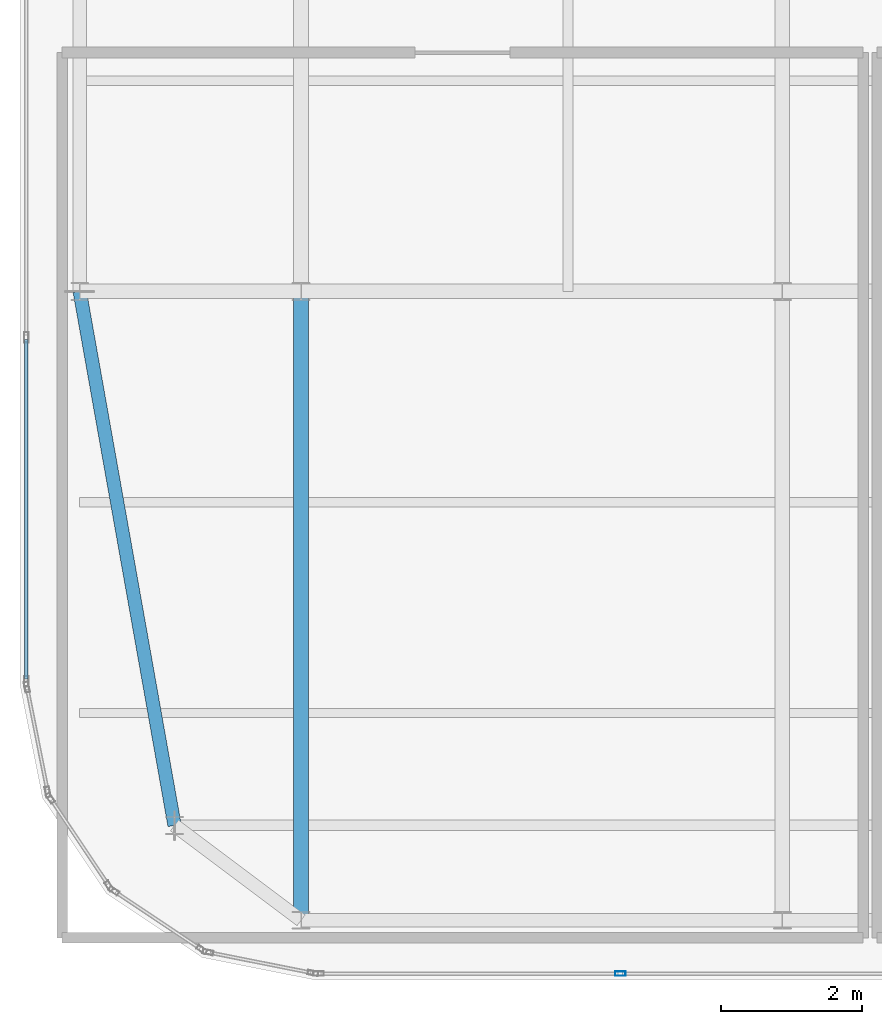
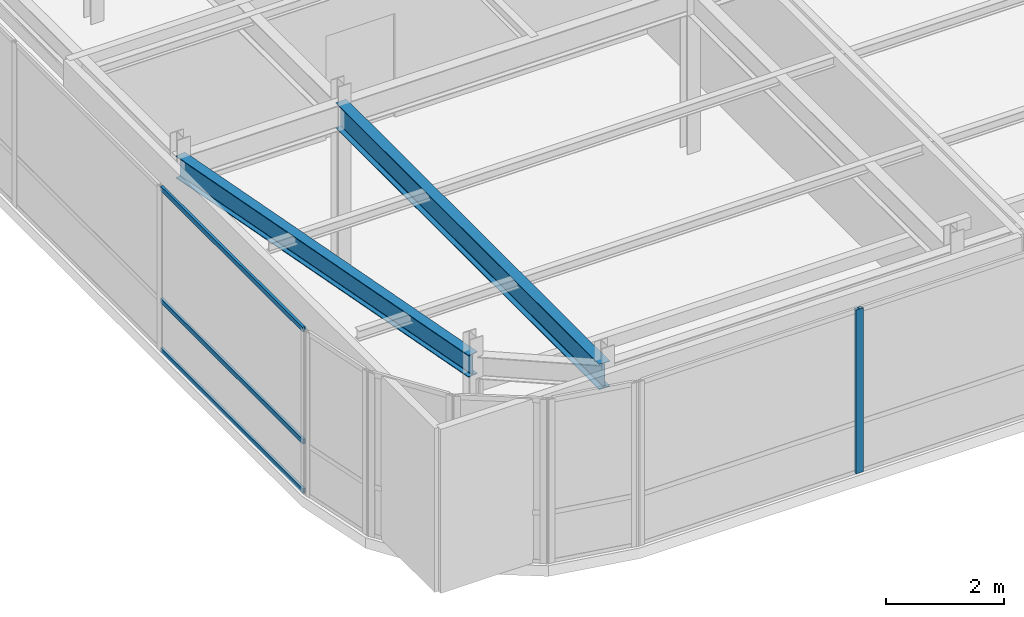
# One storey, part 6 of 35: 4 members, 2 beams, 2 elements without a shape of their own.
"""IFC4 building model written with IfcOpenShell, lengths in metres."""

from ifc_helpers import new_model, si_unit, direction, frame, origin, origin_2d, place, context, subcontext, project, spatial, hollow_rectangle, i_section, extrude, source, transform, mapped, material, layer, layer_set, material_profile, profile_set, type_object, type_shapes, element, aggregate, save


model = new_model("IFC4")

# Units and contexts
model_context = context("Model", 3, precision=1e-05, world=origin(), true_north=direction((0.0, 1.0)))
body_context = subcontext(model_context, "Body", "Model", "MODEL_VIEW")
ifc_project = project(units=[si_unit("LENGTHUNIT", "METRE"), si_unit("AREAUNIT", "SQUARE_METRE"), si_unit("VOLUMEUNIT", "CUBIC_METRE"), si_unit("PLANEANGLEUNIT", "RADIAN"), si_unit("MASSUNIT", "GRAM", prefix="KILO")], contexts=[model_context])

# Site, building, storey
site_placement = place(None, origin())
site = spatial("IfcSite", under=ifc_project, at=site_placement, CompositionType="ELEMENT")
building_placement = place(site_placement, origin())
building = spatial("IfcBuilding", under=site, at=building_placement, Name="Tolvann Quenvar Hotel", CompositionType="ELEMENT")
storey_placement = place(building_placement, frame((0.0, 0.0, 309.949951171875)))
storey = spatial("IfcBuildingStorey", under=building, at=storey_placement, Name="L82", CompositionType="ELEMENT", Elevation=309.949951171875)

# Beams
ifc_material_1 = material(Name="Steel Grade 350", Category="steel")
ifc_material_profile_1 = material_profile(ifc_material_1, i_section(OverallWidth=0.19091796875, OverallDepth=0.4599609375, WebThickness=0.010009765625, FlangeThickness=0.01611328125, FilletRadius=0.011474609375, at=origin_2d()), Name="460UB82")
ifc_profile_set_1 = profile_set([ifc_material_profile_1], Name="Steel Grade 350")
beam_type_1 = type_object("IfcBeamType", Name="BM_SPAND_460UB82", PredefinedType="SPANDREL", material=ifc_profile_set_1)
shared_shape_1 = source(origin(), body_context, "Body", "SweptSolid", [
    extrude(i_section(OverallWidth=0.19091796875, OverallDepth=0.4599609375, WebThickness=0.010009765625, FlangeThickness=0.01611328125, FilletRadius=0.011474609375, at=origin_2d()), origin(), (0.0, 0.0, 1.0), 7.718994140625),
])
type_shapes(beam_type_1, [shared_shape_1])
beam_1_placement = place(storey_placement, frame((5.800048828125, 8.39990234375, 3.170166015625), z_axis=(-0.174903883222, 0.984585512606, 0.0), x_axis=(-0.984585512606, -0.174903883222, 0.0)))
element("IfcBeam", 1, at=beam_1_placement, inside=storey, type_object=beam_type_1, Name="BM-L82-NS-B2-B4", PredefinedType="SPANDREL", context=body_context, shape_type="MappedRepresentation", body=[
    mapped(shared_shape_1, transform((0.0, 0.0, 0.0), x_axis=(1.0, 0.0, 0.0), y_axis=(0.0, 1.0, 0.0), z_axis=(0.0, 0.0, 1.0), scale=1.0)),
])
ifc_material_profile_2 = material_profile(ifc_material_1, i_section(OverallWidth=0.208984375, OverallDepth=0.532958984375, WebThickness=0.01025390625, FlangeThickness=0.015625, FilletRadius=0.013916015625, at=origin_2d()), Name="530UB92")
ifc_profile_set_2 = profile_set([ifc_material_profile_2], Name="Steel Grade 350")
beam_type_2 = type_object("IfcBeamType", Name="BM_GIRD_530UB92", PredefinedType="BEAM", material=ifc_profile_set_2)
shared_shape_2 = source(origin(), body_context, "Body", "SweptSolid", [
    extrude(i_section(OverallWidth=0.208984375, OverallDepth=0.532958984375, WebThickness=0.01025390625, FlangeThickness=0.015625, FilletRadius=0.013916015625, at=origin_2d()), origin(), (0.0, 0.0, 1.0), 8.949951171875),
])
type_shapes(beam_type_2, [shared_shape_2])
beam_2_placement = place(storey_placement, frame((7.60009765625, 7.050048828125, 3.133544921875), z_axis=(0.0, 1.0, 0.0), x_axis=(-1.0, 0.0, 0.0)))
element("IfcBeam", 2, at=beam_2_placement, inside=storey, type_object=beam_type_2, Name="BM-L82-NS-C2-C4", PredefinedType="BEAM", context=body_context, shape_type="MappedRepresentation", body=[
    mapped(shared_shape_2, transform((0.0, 0.0, 0.0), x_axis=(1.0, 0.0, 0.0), y_axis=(0.0, 1.0, 0.0), z_axis=(0.0, 0.0, 1.0), scale=1.0)),
])

# Curtain wall, members
ifc_material_2 = material(Name="Thermally broken anodised architectural aluminium 6063-T6 and laminated low-E glass", Category="aluminium")
ifc_layer = layer(ifc_material_2, 0.179931640625)
ifc_layer_set = layer_set([ifc_layer], Name="Thermally broken anodised architectural aluminium 6063-T6 and laminated low-E glass")
curtain_wall_type = type_object("IfcCurtainWallType", Name="CW_SYS_LANT_06", PredefinedType="USERDEFINED", material=ifc_layer_set)
curtain_wall_1_placement = place(storey_placement, origin())
curtain_wall_1 = element("IfcCurtainWall", 3, at=curtain_wall_1_placement, inside=storey, type_object=curtain_wall_type, Name="Curtain Wall CW-LANT-06 (CWR-L82-E19)", ObjectType="UNITISED CURTAIN WALL", PredefinedType="USERDEFINED")
ifc_material_3 = material(Name="Anodised architectural aluminium 6063-T6 framing", Category="aluminium")
ifc_material_profile_3 = material_profile(ifc_material_3, hollow_rectangle(XDim=0.050048828125, YDim=0.10009765625, WallThickness=0.0029296875, at=origin_2d()), Name="100x50x3RHS")
ifc_profile_set_3 = profile_set([ifc_material_profile_3], Name="Anodised architectural aluminium 6063-T6 framing")
member_type_1 = type_object("IfcMemberType", Name="CW_TRAN_100x50", PredefinedType="USERDEFINED", material=ifc_profile_set_3)
shared_shape_3 = source(origin(), body_context, "Body", "SweptSolid", [
    extrude(hollow_rectangle(XDim=0.050048828125, YDim=0.10009765625, WallThickness=0.0029296875, at=origin_2d()), origin(), (0.0, 0.0, 1.0), 4.830078125),
])
type_shapes(member_type_1, [shared_shape_3])
member_1_placement = place(storey_placement, frame((3.68994140625, 15.312255859375, 0.025146484375), z_axis=(0.0, -1.0, 0.0), x_axis=(1.0, 0.0, 0.0)))
member_1 = element("IfcMember", 4, at=member_1_placement, type_object=member_type_1, Name="CW-LANT-06 transom 6.1", ObjectType="TRANSOM", PredefinedType="USERDEFINED", context=body_context, shape_type="MappedRepresentation", body=[
    mapped(shared_shape_3, transform((0.0, 0.0, 0.0), x_axis=(1.0, 0.0, 0.0), y_axis=(0.0, 1.0, 0.0), z_axis=(0.0, 0.0, 1.0), scale=1.0)),
])
member_2_placement = place(storey_placement, frame((3.68994140625, 15.312255859375, 1.050048828125), z_axis=(0.0, -1.0, 0.0), x_axis=(1.0, 0.0, 0.0)))
member_2 = element("IfcMember", 5, at=member_2_placement, type_object=member_type_1, Name="CW-LANT-06 transom 6.2", ObjectType="TRANSOM", PredefinedType="USERDEFINED", context=body_context, shape_type="MappedRepresentation", body=[
    mapped(shared_shape_3, transform((0.0, 0.0, 0.0), x_axis=(1.0, 0.0, 0.0), y_axis=(0.0, 1.0, 0.0), z_axis=(0.0, 0.0, 1.0), scale=1.0)),
])
member_3_placement = place(storey_placement, frame((3.68994140625, 15.312255859375, 3.375), z_axis=(0.0, -1.0, 0.0), x_axis=(1.0, 0.0, 0.0)))
member_3 = element("IfcMember", 6, at=member_3_placement, type_object=member_type_1, Name="CW-LANT-06 transom 6.3", ObjectType="TRANSOM", PredefinedType="USERDEFINED", context=body_context, shape_type="MappedRepresentation", body=[
    mapped(shared_shape_3, transform((0.0, 0.0, 0.0), x_axis=(1.0, 0.0, 0.0), y_axis=(0.0, 1.0, 0.0), z_axis=(0.0, 0.0, 1.0), scale=1.0)),
])
aggregate(curtain_wall_1, [member_1, member_2, member_3])

# Curtain wall, member
curtain_wall_2_placement = place(storey_placement, origin())
curtain_wall_2 = element("IfcCurtainWall", 7, at=curtain_wall_2_placement, inside=storey, type_object=curtain_wall_type, Name="Curtain Wall CW-LANT-06 (CWR-L82-E04)", ObjectType="UNITISED CURTAIN WALL", PredefinedType="USERDEFINED")
ifc_material_profile_4 = material_profile(ifc_material_3, hollow_rectangle(XDim=0.06494140625, YDim=0.14990234375, WallThickness=0.00390625, at=origin_2d()), Name="150x65x4RHS")
ifc_profile_set_4 = profile_set([ifc_material_profile_4], Name="Anodised architectural aluminium 6063-T6 framing")
member_type_2 = type_object("IfcMemberType", Name="CW_MULL_150x65", PredefinedType="MULLION", material=ifc_profile_set_4)
shared_shape_4 = source(origin(), body_context, "Body", "SweptSolid", [
    extrude(hollow_rectangle(XDim=0.06494140625, YDim=0.14990234375, WallThickness=0.00390625, at=origin_2d()), origin(), (0.0, 0.0, 1.0), 3.400146484375),
])
type_shapes(member_type_2, [shared_shape_4])
member_4_placement = place(storey_placement, frame((12.144775390625, 6.2900390625, 0.0), z_axis=(0.0, 0.0, 1.0), x_axis=(0.0, 1.0, 0.0)))
member_4 = element("IfcMember", 8, at=member_4_placement, type_object=member_type_2, Name="CW-LANT-06 mullion 2", PredefinedType="MULLION", context=body_context, shape_type="MappedRepresentation", body=[
    mapped(shared_shape_4, transform((0.0, 0.0, 0.0), x_axis=(1.0, 0.0, 0.0), y_axis=(0.0, 1.0, 0.0), z_axis=(0.0, 0.0, 1.0), scale=1.0)),
])
aggregate(curtain_wall_2, [member_4])

save(model, "model.ifc")
